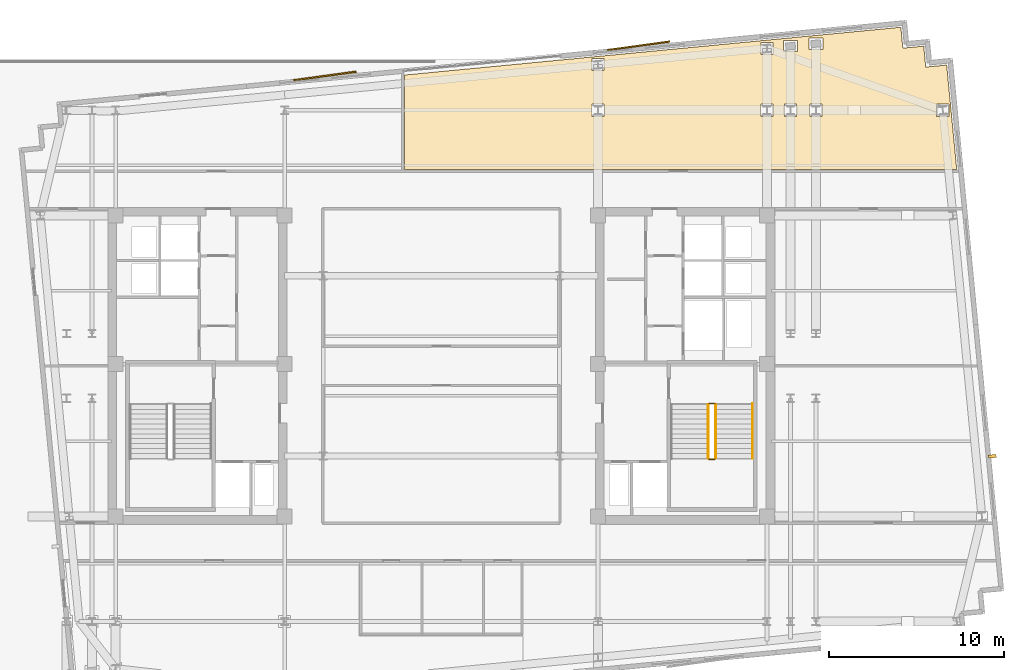
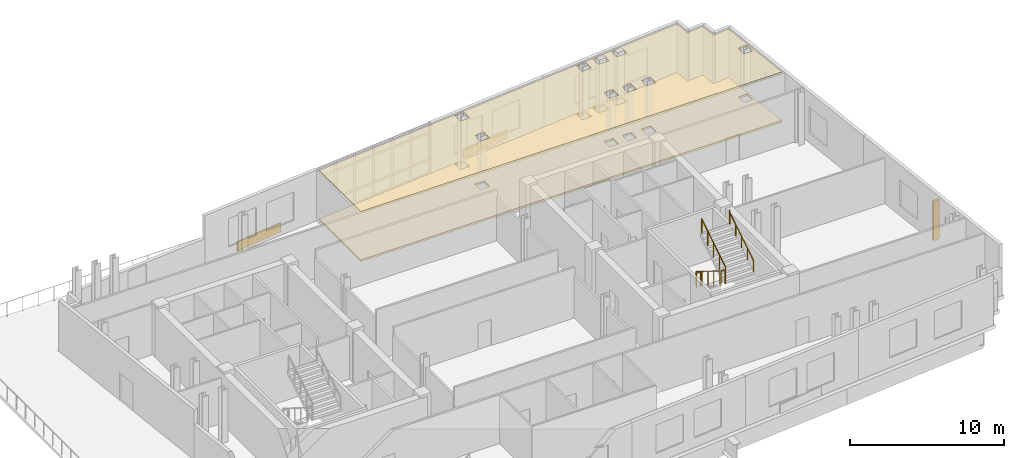
# One storey, part 11 of 11: 5 railings, 4 coverings, 1 shading device.
"""IFC4 building model written with IfcOpenShell, lengths in metres."""

from ifc_helpers import new_model, si_unit, direction, frame, origin, origin_2d, place, context, subcontext, project, spatial, polyline, rectangle, circle, outline, extrude, material, layer, layer_set, type_object, element, save


model = new_model("IFC4")

# Units and contexts
model_context = context("Model", 3, precision=1e-05, world=origin(), true_north=direction((0.0, 1.0)))
body_context = subcontext(model_context, "Body", "Model", "MODEL_VIEW")
ifc_project = project(units=[si_unit("LENGTHUNIT", "METRE"), si_unit("AREAUNIT", "SQUARE_METRE"), si_unit("VOLUMEUNIT", "CUBIC_METRE"), si_unit("PLANEANGLEUNIT", "RADIAN"), si_unit("MASSUNIT", "GRAM", prefix="KILO")], contexts=[model_context])

# Site, building, storey
site_placement = place(None, origin())
site = spatial("IfcSite", under=ifc_project, at=site_placement, CompositionType="ELEMENT")
building_placement = place(site_placement, origin())
building = spatial("IfcBuilding", under=site, at=building_placement, Name="Velakula Bourse", CompositionType="ELEMENT")
storey_placement = place(building_placement, frame((0.0, 0.0, 247.5)))
storey = spatial("IfcBuildingStorey", under=building, at=storey_placement, Name="L67", CompositionType="ELEMENT", Elevation=247.5)

# Coverings
ifc_material_1 = material(Name="Buff kilned clay facing brick masonry", Category="masonry")
ifc_layer_1 = layer(ifc_material_1, 0.074951171875, Name="Buff kilned clay facing brick masonry", Category="masonry")
ifc_layer_set_1 = layer_set([ifc_layer_1], Name="Buff kilned clay facing brick masonry")
covering_type_1 = type_object("IfcCoveringType", Name="COV-BRK-SPN-75", PredefinedType="CLADDING", material=ifc_layer_set_1)
for number, where, z_axis, x_axis, name in (
    (1, (-6.655029296875, 16.555908203125, 0.0), (0.0, 0.0, 1.0), (0.990629029058, 0.136580111242, 0.0), "L67 Folded Brick Facade Cladding Panel N-B2"),
    (2, (11.26220703125, 18.281005859375, 0.0), (0.0, 0.0, 1.0), (0.990629029058, 0.136580111242, 0.0), "L67 Folded Brick Facade Cladding Panel N-B4"),
):
    element("IfcCovering", number, at=place(storey_placement, frame(where, z_axis=z_axis, x_axis=x_axis)), inside=storey, type_object=covering_type_1, Name=name, PredefinedType="CLADDING", context=body_context, shape_type="SweptSolid", body=[
        extrude(rectangle(XDim=3.60009765625, YDim=0.090087890625, at=origin_2d()), origin(), (0.0, 0.0, 1.0), 0.719970703125),
    ])
ifc_material_2 = material(Name="Mineral-fibre acoustic suspended ceiling tile", Category="mineral")
ifc_layer_2 = layer(ifc_material_2, 0.0400390625, Name="Mineral-fibre acoustic suspended ceiling tile", Category="mineral")
ifc_layer_set_2 = layer_set([ifc_layer_2], Name="Mineral-fibre acoustic suspended ceiling tile")
covering_type_2 = type_object("IfcCoveringType", Name="COV-CEIL-AC-40", PredefinedType="CEILING", material=ifc_layer_set_2)
covering_1_placement = place(storey_placement, frame((0.0, 0.0, 3.949951171875)))
element("IfcCovering", 3, at=covering_1_placement, inside=storey, type_object=covering_type_2, Name="L67 Yield Curve Seminar Room Acoustic Suspended Ceiling", PredefinedType="CEILING", context=body_context, shape_type="SweptSolid", body=[
    extrude(outline(polyline([(26.364501953125, 18.148193359375), (27.558837890625, 18.26318359375), (27.673828125, 17.068603515625), (28.868408203125, 17.18359375), (29.441650390625, 11.22998046875), (-2.10302734375, 11.22998046875), (-2.10302734375, 16.612548828125), (26.249267578125, 19.342529296875), (26.364501953125, 18.148193359375)]), holes=[polyline([(8.60498046875, 14.2548828125), (9.294921875, 14.2548828125), (9.294921875, 14.945068359375), (8.60498046875, 14.945068359375), (8.60498046875, 14.2548828125)]), polyline([(18.2548828125, 14.2548828125), (18.945068359375, 14.2548828125), (18.945068359375, 14.945068359375), (18.2548828125, 14.945068359375), (18.2548828125, 14.2548828125)]), polyline([(8.60498046875, 16.859619140625), (9.294921875, 16.859619140625), (9.294921875, 17.549560546875), (8.60498046875, 17.549560546875), (8.60498046875, 16.859619140625)]), polyline([(18.2548828125, 17.788818359375), (18.945068359375, 17.788818359375), (18.945068359375, 18.478759765625), (18.2548828125, 18.478759765625), (18.2548828125, 17.788818359375)]), polyline([(19.60498046875, 14.2548828125), (20.294921875, 14.2548828125), (20.294921875, 14.945068359375), (19.60498046875, 14.945068359375), (19.60498046875, 14.2548828125)]), polyline([(21.054931640625, 14.2548828125), (21.7451171875, 14.2548828125), (21.7451171875, 14.945068359375), (21.054931640625, 14.945068359375), (21.054931640625, 14.2548828125)]), polyline([(28.2998046875, 14.2548828125), (28.989990234375, 14.2548828125), (28.989990234375, 14.945068359375), (28.2998046875, 14.945068359375), (28.2998046875, 14.2548828125)]), polyline([(19.554931640625, 17.943603515625), (20.344970703125, 17.943603515625), (20.344970703125, 18.583740234375), (19.554931640625, 18.583740234375), (19.554931640625, 17.943603515625)]), polyline([(21.0048828125, 18.08349609375), (21.794921875, 18.08349609375), (21.794921875, 18.723388671875), (21.0048828125, 18.723388671875), (21.0048828125, 18.08349609375)])]), origin(), (0.0, 0.0, 1.0), 0.0400390625),
])
ifc_material_3 = material(Name="Calcium-sulphate antistatic raised access flooring", Category="gypsum")
ifc_layer_3 = layer(ifc_material_3, 0.14990234375, Name="Calcium-sulphate antistatic raised access flooring", Category="gypsum")
ifc_layer_set_3 = layer_set([ifc_layer_3], Name="Calcium-sulphate antistatic raised access flooring")
covering_type_3 = type_object("IfcCoveringType", Name="COV-FLR-RAISED-150", PredefinedType="FLOORING", material=ifc_layer_set_3)
covering_2_placement = place(storey_placement, origin())
element("IfcCovering", 4, at=covering_2_placement, inside=storey, type_object=covering_type_3, Name="L67 Yield Curve Seminar Room Raised Trading Access Floor", PredefinedType="FLOORING", context=body_context, shape_type="SweptSolid", body=[
    extrude(outline(polyline([(26.364501953125, 18.148193359375), (27.558837890625, 18.26318359375), (27.673828125, 17.068603515625), (28.868408203125, 17.18359375), (29.441650390625, 11.22998046875), (-2.10302734375, 11.22998046875), (-2.10302734375, 16.612548828125), (26.249267578125, 19.342529296875), (26.364501953125, 18.148193359375)]), holes=[polyline([(8.60498046875, 14.2548828125), (9.294921875, 14.2548828125), (9.294921875, 14.945068359375), (8.60498046875, 14.945068359375), (8.60498046875, 14.2548828125)]), polyline([(18.2548828125, 14.2548828125), (18.945068359375, 14.2548828125), (18.945068359375, 14.945068359375), (18.2548828125, 14.945068359375), (18.2548828125, 14.2548828125)]), polyline([(8.60498046875, 16.859619140625), (9.294921875, 16.859619140625), (9.294921875, 17.549560546875), (8.60498046875, 17.549560546875), (8.60498046875, 16.859619140625)]), polyline([(18.2548828125, 17.788818359375), (18.945068359375, 17.788818359375), (18.945068359375, 18.478759765625), (18.2548828125, 18.478759765625), (18.2548828125, 17.788818359375)]), polyline([(19.60498046875, 14.2548828125), (20.294921875, 14.2548828125), (20.294921875, 14.945068359375), (19.60498046875, 14.945068359375), (19.60498046875, 14.2548828125)]), polyline([(21.054931640625, 14.2548828125), (21.7451171875, 14.2548828125), (21.7451171875, 14.945068359375), (21.054931640625, 14.945068359375), (21.054931640625, 14.2548828125)]), polyline([(28.2998046875, 14.2548828125), (28.989990234375, 14.2548828125), (28.989990234375, 14.945068359375), (28.2998046875, 14.945068359375), (28.2998046875, 14.2548828125)]), polyline([(19.554931640625, 17.943603515625), (20.344970703125, 17.943603515625), (20.344970703125, 18.583740234375), (19.554931640625, 18.583740234375), (19.554931640625, 17.943603515625)]), polyline([(21.0048828125, 18.08349609375), (21.794921875, 18.08349609375), (21.794921875, 18.723388671875), (21.0048828125, 18.723388671875), (21.0048828125, 18.08349609375)])]), origin(), (0.0, 0.0, 1.0), 0.14990234375),
])

# Railings
ifc_material_4 = material(Name="Brushed grade 316 stainless steel", Category="steel")
railing_type_1 = type_object("IfcRailingType", Name="RLG-STAIR-GUARD-1150", PredefinedType="BALUSTRADE", material=ifc_material_4)
railing_1_placement = place(storey_placement, frame((15.248046875, -2.199951171875, 0.175048828125)))
element("IfcRailing", 5, at=railing_1_placement, inside=storey, type_object=railing_type_1, Name="L67 ST-E1 stair guard 1", PredefinedType="BALUSTRADE", context=body_context, shape_type="SweptSolid", body=[
    extrude(circle(Radius=0.02490234375, at=origin_2d()), frame((0.0, 0.0, 1.125), z_axis=(0.0, -0.847998304005, 0.529998940003), x_axis=(1.0, 0.0, 0.0)), (0.0, 0.0, 1.0), 3.632080078125),
    extrude(circle(Radius=0.02099609375, at=origin_2d()), origin(), (0.0, 0.0, 1.0), 1.099853515625),
    extrude(circle(Radius=0.02099609375, at=origin_2d()), frame((0.0, -0.77001953125, 0.481201171875)), (0.0, 0.0, 1.0), 1.099853515625),
    extrude(circle(Radius=0.02099609375, at=origin_2d()), frame((0.0, -1.5400390625, 0.96240234375)), (0.0, 0.0, 1.0), 1.099853515625),
    extrude(circle(Radius=0.02099609375, at=origin_2d()), frame((0.0, -2.31005859375, 1.44384765625)), (0.0, 0.0, 1.0), 1.099853515625),
    extrude(circle(Radius=0.02099609375, at=origin_2d()), frame((0.0, -3.080078125, 1.925048828125)), (0.0, 0.0, 1.0), 1.099853515625),
])
railing_2_placement = place(storey_placement, frame((15.298095703125, -5.330078125, 2.10009765625)))
element("IfcRailing", 6, at=railing_2_placement, inside=storey, type_object=railing_type_1, Name="L67 ST-E1 stair guard 2", PredefinedType="BALUSTRADE", context=body_context, shape_type="SweptSolid", body=[
    extrude(circle(Radius=0.02490234375, at=origin_2d()), frame((0.0, 0.0, 1.125), z_axis=(1.0, 0.0, 0.0), x_axis=(0.0, 1.0, 0.0)), (0.0, 0.0, 1.0), 0.323974609375),
    extrude(circle(Radius=0.02099609375, at=origin_2d()), origin(), (0.0, 0.0, 1.0), 1.099853515625),
    extrude(circle(Radius=0.02099609375, at=origin_2d()), frame((0.323974609375, 0.0, 0.0)), (0.0, 0.0, 1.0), 1.099853515625),
])
railing_3_placement = place(storey_placement, frame((15.672119140625, -5.280029296875, 2.27490234375)))
element("IfcRailing", 7, at=railing_3_placement, inside=storey, type_object=railing_type_1, Name="L67 ST-E1 stair guard 3", PredefinedType="BALUSTRADE", context=body_context, shape_type="SweptSolid", body=[
    extrude(circle(Radius=0.02490234375, at=origin_2d()), frame((0.0, 0.0, 1.125), z_axis=(0.0, 0.847998304005, 0.529998940003), x_axis=(-1.0, 0.0, 0.0)), (0.0, 0.0, 1.0), 3.632080078125),
    extrude(circle(Radius=0.02099609375, at=origin_2d()), origin(), (0.0, 0.0, 1.0), 1.099853515625),
    extrude(circle(Radius=0.02099609375, at=origin_2d()), frame((0.0, 0.77001953125, 0.481201171875)), (0.0, 0.0, 1.0), 1.099853515625),
    extrude(circle(Radius=0.02099609375, at=origin_2d()), frame((0.0, 1.5400390625, 0.96240234375)), (0.0, 0.0, 1.0), 1.099853515625),
    extrude(circle(Radius=0.02099609375, at=origin_2d()), frame((0.0, 2.31005859375, 1.44384765625)), (0.0, 0.0, 1.0), 1.099853515625),
    extrude(circle(Radius=0.02099609375, at=origin_2d()), frame((0.0, 3.080078125, 1.925048828125)), (0.0, 0.0, 1.0), 1.099853515625),
])
railing_4_placement = place(storey_placement, frame((15.298095703125, -2.14990234375, 0.0)))
element("IfcRailing", 8, at=railing_4_placement, inside=storey, type_object=railing_type_1, Name="L67 ST-E1 stair guard 4", PredefinedType="BALUSTRADE", context=body_context, shape_type="SweptSolid", body=[
    extrude(circle(Radius=0.02490234375, at=origin_2d()), frame((0.0, 0.0, 1.125), z_axis=(1.0, 0.0, 0.0), x_axis=(0.0, 1.0, 0.0)), (0.0, 0.0, 1.0), 0.323974609375),
    extrude(circle(Radius=0.02099609375, at=origin_2d()), origin(), (0.0, 0.0, 1.0), 1.099853515625),
    extrude(circle(Radius=0.02099609375, at=origin_2d()), frame((0.323974609375, 0.0, 0.0)), (0.0, 0.0, 1.0), 1.099853515625),
])
railing_type_2 = type_object("IfcRailingType", Name="RLG-STAIR-HAND-920", PredefinedType="HANDRAIL", material=ifc_material_4)
railing_5_placement = place(storey_placement, frame((17.77001953125, -5.280029296875, 2.27490234375)))
element("IfcRailing", 9, at=railing_5_placement, inside=storey, type_object=railing_type_2, Name="L67 ST-E1 stair handrail 2", PredefinedType="HANDRAIL", context=body_context, shape_type="SweptSolid", body=[
    extrude(circle(Radius=0.02099609375, at=origin_2d()), frame((0.0, 0.0, 0.89892578125), z_axis=(0.0, 0.847998304005, 0.529998940003), x_axis=(-1.0, 0.0, 0.0)), (0.0, 0.0, 1.0), 3.632080078125),
    extrude(circle(Radius=0.02099609375, at=origin_2d()), frame((0.0, 3.080078125, 2.823974609375), z_axis=(0.0, 0.222972465624, 0.974824743004), x_axis=(-1.0, 0.0, 0.0)), (0.0, 0.0, 1.0), 0.1796875),
    extrude(circle(Radius=0.02099609375, at=origin_2d()), frame((0.0, 3.1201171875, 2.9990234375), z_axis=(0.0, 1.0, 0.0), x_axis=(-1.0, 0.0, 0.0)), (0.0, 0.0, 1.0), 0.0048828125),
    extrude(circle(Radius=0.02099609375, at=origin_2d()), origin(), (0.0, 0.0, 1.0), 0.8779296875),
    extrude(circle(Radius=0.02099609375, at=origin_2d()), frame((0.0, 0.77001953125, 0.481201171875)), (0.0, 0.0, 1.0), 0.8779296875),
    extrude(circle(Radius=0.02099609375, at=origin_2d()), frame((0.0, 1.5400390625, 0.96240234375)), (0.0, 0.0, 1.0), 0.8779296875),
    extrude(circle(Radius=0.02099609375, at=origin_2d()), frame((0.0, 2.31005859375, 1.44384765625)), (0.0, 0.0, 1.0), 0.8779296875),
    extrude(circle(Radius=0.02099609375, at=origin_2d()), frame((0.0, 3.080078125, 1.925048828125)), (0.0, 0.0, 1.0), 0.8779296875),
    extrude(circle(Radius=0.02099609375, at=origin_2d()), frame((0.0, 3.1201171875, 2.10009765625)), (0.0, 0.0, 1.0), 0.8779296875),
    extrude(circle(Radius=0.02099609375, at=origin_2d()), frame((0.0, 3.125, 2.10009765625)), (0.0, 0.0, 1.0), 0.8779296875),
])

# Shading device
ifc_material_5 = material(Name="Anodised bronze architectural aluminium", Category="aluminium")
shading_device_type = type_object("IfcShadingDeviceType", Name="SHD-FIN-450", PredefinedType="USERDEFINED", material=ifc_material_5)
shading_device_placement = place(storey_placement, frame((31.472412109375, -5.164794921875, 0.0), z_axis=(0.0, 0.0, 1.0), x_axis=(0.995396198367, 0.09584575252, 0.0)))
element("IfcShadingDevice", 10, at=shading_device_placement, inside=storey, type_object=shading_device_type, Name="L67 Vertical Bronze Solar Shading Fin E", ObjectType="FIN", PredefinedType="USERDEFINED", context=body_context, shape_type="SweptSolid", body=[
    extrude(rectangle(XDim=0.449951171875, YDim=0.179931640625, at=origin_2d()), origin(), (0.0, 0.0, 1.0), 3.10009765625),
])

save(model, "model.ifc")
